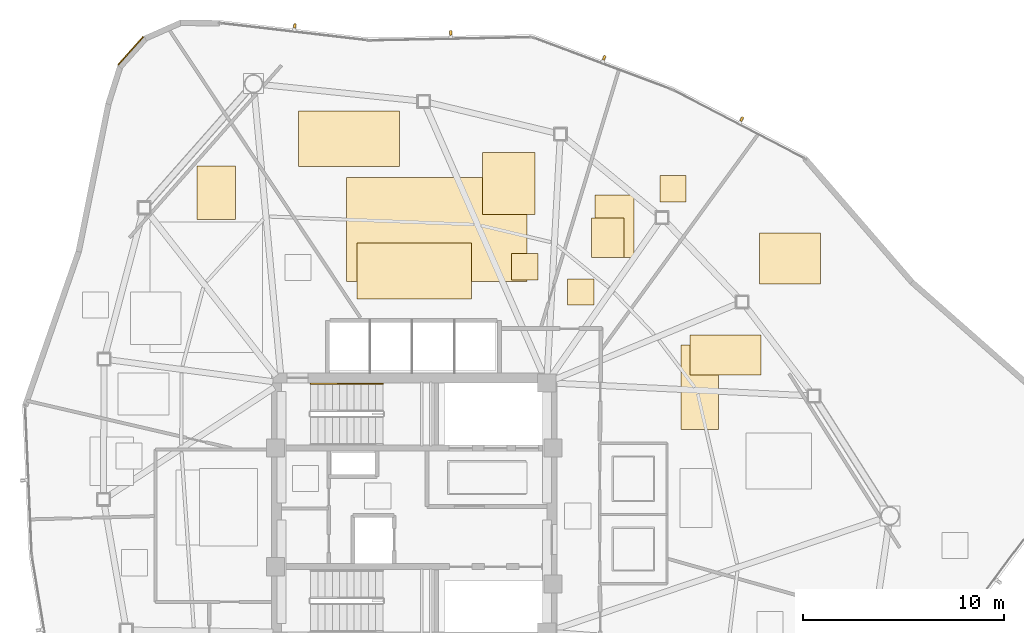
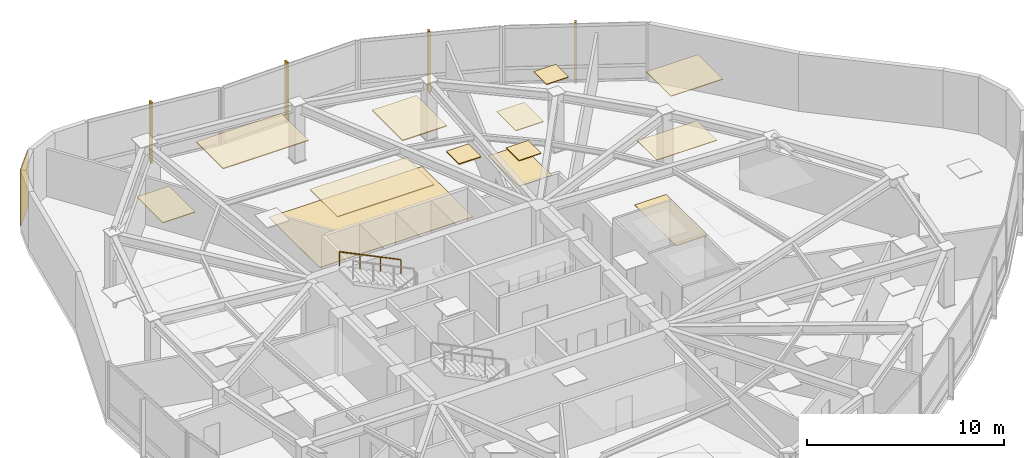
# One storey, part 17 of 17: 14 coverings, 4 shading devices, 1 railing.
"""IFC4 building model written with IfcOpenShell, lengths in metres."""

from ifc_helpers import new_model, si_unit, direction, frame, origin, origin_2d, place, context, subcontext, project, spatial, polyline, rectangle, outline, extrude, source, transform, mapped, material, layer, layer_set, type_object, type_shapes, element, save


model = new_model("IFC4")

# Units and contexts
model_context = context("Model", 3, precision=1e-05, world=origin(), true_north=direction((0.0, 1.0)))
body_context = subcontext(model_context, "Body", "Model", "MODEL_VIEW")
ifc_project = project(units=[si_unit("LENGTHUNIT", "METRE"), si_unit("AREAUNIT", "SQUARE_METRE"), si_unit("VOLUMEUNIT", "CUBIC_METRE"), si_unit("PLANEANGLEUNIT", "RADIAN"), si_unit("MASSUNIT", "GRAM", prefix="KILO")], contexts=[model_context])

# Site, building, storey
site_placement = place(None, origin())
site = spatial("IfcSite", under=ifc_project, at=site_placement, CompositionType="ELEMENT")
building_placement = place(site_placement, origin())
building = spatial("IfcBuilding", under=site, at=building_placement, Name="Tavelor Broadcast Tower", CompositionType="ELEMENT")
storey_placement = place(building_placement, frame((0.0, 0.0, 184.89990234375)))
storey = spatial("IfcBuildingStorey", under=building, at=storey_placement, Name="L44", CompositionType="ELEMENT", Elevation=184.89990234375)

# Covering
ifc_material_1 = material(Name="Copper-Bronze Anodized Aluminium", Category="aluminium")
ifc_layer_1 = layer(ifc_material_1, 0.050048828125)
ifc_layer_set_1 = layer_set([ifc_layer_1], Name="Copper-Bronze Anodized Aluminium")
covering_type_1 = type_object("IfcCoveringType", Name="Champagne-Bronze Corner Pier Metal Cladding 50 mm", PredefinedType="CLADDING", material=ifc_layer_set_1)
covering_1_placement = place(storey_placement, frame((35.9033203125, 67.721435546875, 0.02001953125), z_axis=(0.0, 0.0, 1.0), x_axis=(-0.667182766905, -0.744894056592, 0.0)))
element("IfcCovering", 1, at=covering_1_placement, inside=storey, type_object=covering_type_1, Name="L44 Champagne-Bronze Corner Cladding 03", PredefinedType="CLADDING", context=body_context, shape_type="SweptSolid", body=[
    extrude(rectangle(XDim=1.8671875, YDim=0.050048828125, at=origin_2d()), origin(), (0.0, 0.0, 1.0), 3.510009765625),
])

# Railing
ifc_material_2 = material(Name="Steel S355", Category="steel")
railing_type = type_object("IfcRailingType", Name="Continuous Brushed Stainless Handrail 900 mm", PredefinedType="HANDRAIL", material=ifc_material_2)
railing_placement = place(storey_placement, frame((48.449951171875, 51.14990234375, 2.10009765625)))
element("IfcRailing", 2, at=railing_placement, inside=storey, type_object=railing_type, Name="L44 ST1 stair handrail 2", PredefinedType="HANDRAIL", context=body_context, shape_type="SweptSolid", body=[
    extrude(rectangle(XDim=0.048095703125, YDim=0.048095703125, at=origin_2d()), frame((0.0, 0.0, 0.8759765625), z_axis=(-0.899360859046, 0.0, 0.437207096483), x_axis=(0.0, -1.0, 0.0)), (0.0, 0.0, 1.0), 4.002685546875),
    extrude(rectangle(XDim=0.0419921875, YDim=0.0419921875, at=origin_2d()), origin(), (0.0, 0.0, 1.0), 0.851806640625),
    extrude(rectangle(XDim=0.0419921875, YDim=0.0419921875, at=origin_2d()), frame((-1.199951171875, 0.0, 0.583251953125)), (0.0, 0.0, 1.0), 0.851806640625),
    extrude(rectangle(XDim=0.0419921875, YDim=0.0419921875, at=origin_2d()), frame((-2.39990234375, 0.0, 1.166748046875)), (0.0, 0.0, 1.0), 0.851806640625),
    extrude(rectangle(XDim=0.0419921875, YDim=0.0419921875, at=origin_2d()), frame((-3.599853515625, 0.0, 1.75)), (0.0, 0.0, 1.0), 0.851806640625),
])

# Coverings
ifc_material_3 = material(Name="Acoustic Nylon Carpet Tile")
ifc_layer_2 = layer(ifc_material_3, 0.02001953125)
ifc_layer_set_2 = layer_set([ifc_layer_2], Name="Acoustic Nylon Carpet Tile")
covering_type_2 = type_object("IfcCoveringType", Name="Heavy-Duty Acoustic Broadcast Carpet Tile 20 mm", PredefinedType="FLOORING", material=ifc_layer_set_2)
covering_2_placement = place(storey_placement, origin())
element("IfcCovering", 3, at=covering_2_placement, inside=storey, type_object=covering_type_2, Name="L44 Broadcast Floor Finish 0661", PredefinedType="FLOORING", context=body_context, shape_type="SweptSolid", body=[
    extrude(outline(polyline([(63.284912109375, 48.86865234375), (65.14208984375, 48.86865234375), (65.14208984375, 53.0712890625), (63.284912109375, 53.0712890625), (63.284912109375, 48.86865234375)])), origin(), (0.0, 0.0, 1.0), 0.02001953125),
])
covering_3_placement = place(storey_placement, origin())
element("IfcCovering", 4, at=covering_3_placement, inside=storey, type_object=covering_type_2, Name="L44 Broadcast Floor Finish 0669", PredefinedType="FLOORING", context=body_context, shape_type="SweptSolid", body=[
    extrude(outline(polyline([(58.998046875, 57.4453125), (60.947265625, 57.4453125), (60.947265625, 60.5556640625), (58.998046875, 60.5556640625), (58.998046875, 57.4453125)])), origin(), (0.0, 0.0, 1.0), 0.02001953125),
])
ifc_material_4 = material(Name="Acoustic Hardwood Studio Flooring", Category="wood")
ifc_layer_3 = layer(ifc_material_4, 0.034912109375)
ifc_layer_set_3 = layer_set([ifc_layer_3], Name="Acoustic Hardwood Studio Flooring")
covering_type_3 = type_object("IfcCoveringType", Name="Isolated Studio Acoustic Elastomeric Floor Finish 35 mm", PredefinedType="FLOORING", material=ifc_layer_set_3)
covering_4_placement = place(storey_placement, origin())
element("IfcCovering", 5, at=covering_4_placement, inside=storey, type_object=covering_type_3, Name="L44 Broadcast Floor Finish 0668", PredefinedType="FLOORING", context=body_context, shape_type="SweptSolid", body=[
    extrude(outline(polyline([(46.624267578125, 56.251953125), (55.62646484375, 56.251953125), (55.62646484375, 61.406494140625), (46.624267578125, 61.406494140625), (46.624267578125, 56.251953125)])), origin(), (0.0, 0.0, 1.0), 0.03515625),
])
ifc_material_5 = material(Name="Acoustic Perforated Timber Baffle", Category="wood")
ifc_layer_4 = layer(ifc_material_5, 0.054931640625)
ifc_layer_set_4 = layer_set([ifc_layer_4], Name="Acoustic Perforated Timber Baffle")
covering_type_4 = type_object("IfcCoveringType", Name="Micro-Perforated Acoustic Baffle Studio Ceiling 55 mm", PredefinedType="CEILING", material=ifc_layer_set_4)
covering_5_placement = place(storey_placement, frame((0.0, 0.0, 3.4951171875)))
element("IfcCovering", 6, at=covering_5_placement, inside=storey, type_object=covering_type_4, Name="L44 Suspended Acoustic Ceiling 1857", PredefinedType="CEILING", context=body_context, shape_type="SweptSolid", body=[
    extrude(outline(polyline([(54.8544921875, 56.322021484375), (56.154296875, 56.322021484375), (56.154296875, 57.6220703125), (54.8544921875, 57.6220703125), (54.8544921875, 56.322021484375)])), origin(), (0.0, 0.0, 1.0), 0.054931640625),
])
covering_6_placement = place(storey_placement, frame((0.0, 0.0, 3.4951171875)))
element("IfcCovering", 7, at=covering_6_placement, inside=storey, type_object=covering_type_4, Name="L44 Suspended Acoustic Ceiling 1858", PredefinedType="CEILING", context=body_context, shape_type="SweptSolid", body=[
    extrude(outline(polyline([(47.1611328125, 55.36083984375), (52.847412109375, 55.36083984375), (52.847412109375, 58.166015625), (47.1611328125, 58.166015625), (47.1611328125, 55.36083984375)])), origin(), (0.0, 0.0, 1.0), 0.054931640625),
])
covering_7_placement = place(storey_placement, frame((0.0, 0.0, 3.4951171875)))
element("IfcCovering", 8, at=covering_7_placement, inside=storey, type_object=covering_type_4, Name="L44 Suspended Acoustic Ceiling 1859", PredefinedType="CEILING", context=body_context, shape_type="SweptSolid", body=[
    extrude(outline(polyline([(44.25634765625, 61.967041015625), (49.278076171875, 61.967041015625), (49.278076171875, 64.71923828125), (44.25634765625, 64.71923828125), (44.25634765625, 61.967041015625)])), origin(), (0.0, 0.0, 1.0), 0.054931640625),
])
covering_8_placement = place(storey_placement, frame((0.0, 0.0, 3.4951171875)))
element("IfcCovering", 9, at=covering_8_placement, inside=storey, type_object=covering_type_4, Name="L44 Suspended Acoustic Ceiling 1860", PredefinedType="CEILING", context=body_context, shape_type="SweptSolid", body=[
    extrude(outline(polyline([(53.40771484375, 59.56494140625), (56.0146484375, 59.56494140625), (56.0146484375, 62.666015625), (53.40771484375, 62.666015625), (53.40771484375, 59.56494140625)])), origin(), (0.0, 0.0, 1.0), 0.054931640625),
])
ifc_material_6 = material(Name="Acoustic Mineral Fibre Tile")
ifc_layer_5 = layer(ifc_material_6, 0.0400390625)
ifc_layer_set_5 = layer_set([ifc_layer_5], Name="Acoustic Mineral Fibre Tile")
covering_type_5 = type_object("IfcCoveringType", Name="Suspended Acoustic Mineral-Fibre Office Ceiling 40 mm", PredefinedType="CEILING", material=ifc_layer_set_5)
covering_9_placement = place(storey_placement, frame((0.0, 0.0, 3.510009765625)))
element("IfcCovering", 10, at=covering_9_placement, inside=storey, type_object=covering_type_5, Name="L44 Suspended Acoustic Ceiling 1837", PredefinedType="CEILING", context=body_context, shape_type="SweptSolid", body=[
    extrude(outline(polyline([(67.179443359375, 56.127197265625), (70.228271484375, 56.127197265625), (70.228271484375, 58.643310546875), (67.179443359375, 58.643310546875), (67.179443359375, 56.127197265625)])), origin(), (0.0, 0.0, 1.0), 0.0400390625),
])
covering_10_placement = place(storey_placement, frame((0.0, 0.0, 3.510009765625)))
element("IfcCovering", 11, at=covering_10_placement, inside=storey, type_object=covering_type_5, Name="L44 Suspended Acoustic Ceiling 1838", PredefinedType="CEILING", context=body_context, shape_type="SweptSolid", body=[
    extrude(outline(polyline([(63.724365234375, 51.583740234375), (67.2587890625, 51.583740234375), (67.2587890625, 53.588134765625), (63.724365234375, 53.588134765625), (63.724365234375, 51.583740234375)])), origin(), (0.0, 0.0, 1.0), 0.0400390625),
])
covering_11_placement = place(storey_placement, frame((0.0, 0.0, 3.510009765625)))
element("IfcCovering", 12, at=covering_11_placement, inside=storey, type_object=covering_type_5, Name="L44 Suspended Acoustic Ceiling 1854", PredefinedType="CEILING", context=body_context, shape_type="SweptSolid", body=[
    extrude(outline(polyline([(39.20849609375, 59.33544921875), (41.107666015625, 59.33544921875), (41.107666015625, 61.997314453125), (39.20849609375, 61.997314453125), (39.20849609375, 59.33544921875)])), origin(), (0.0, 0.0, 1.0), 0.0400390625),
])
covering_12_placement = place(storey_placement, frame((0.0, 0.0, 3.510009765625)))
element("IfcCovering", 13, at=covering_12_placement, inside=storey, type_object=covering_type_5, Name="L44 Suspended Acoustic Ceiling 1861", PredefinedType="CEILING", context=body_context, shape_type="SweptSolid", body=[
    extrude(outline(polyline([(57.640380859375, 55.061767578125), (58.940185546875, 55.061767578125), (58.940185546875, 56.36181640625), (57.640380859375, 56.36181640625), (57.640380859375, 55.061767578125)])), origin(), (0.0, 0.0, 1.0), 0.0400390625),
])
covering_13_placement = place(storey_placement, frame((0.0, 0.0, 3.510009765625)))
element("IfcCovering", 14, at=covering_13_placement, inside=storey, type_object=covering_type_5, Name="L44 Suspended Acoustic Ceiling 1862", PredefinedType="CEILING", context=body_context, shape_type="SweptSolid", body=[
    extrude(outline(polyline([(58.826416015625, 57.427490234375), (60.450927734375, 57.427490234375), (60.450927734375, 59.388671875), (58.826416015625, 59.388671875), (58.826416015625, 57.427490234375)])), origin(), (0.0, 0.0, 1.0), 0.0400390625),
])
covering_14_placement = place(storey_placement, frame((0.0, 0.0, 3.510009765625)))
element("IfcCovering", 15, at=covering_14_placement, inside=storey, type_object=covering_type_5, Name="L44 Suspended Acoustic Ceiling 1863", PredefinedType="CEILING", context=body_context, shape_type="SweptSolid", body=[
    extrude(outline(polyline([(62.2294921875, 60.205078125), (63.529541015625, 60.205078125), (63.529541015625, 61.505126953125), (62.2294921875, 61.505126953125), (62.2294921875, 60.205078125)])), origin(), (0.0, 0.0, 1.0), 0.0400390625),
])

# Shading devices
ifc_material_7 = material(Name="Kiln-Fired Glazed Terracotta", Category="masonry")
shading_device_type = type_object("IfcShadingDeviceType", Name="Extruded Terracotta Baguette Sun-Screen 110x240", PredefinedType="JALOUSIE", material=ifc_material_7)
shared_shape = source(origin(), body_context, "Body", "SweptSolid", [
    extrude(rectangle(XDim=0.110107421875, YDim=0.239990234375, at=origin_2d()), origin(), (0.0, 0.0, 1.0), 3.7900390625),
])
type_shapes(shading_device_type, [shared_shape])
for number, where, z_axis, x_axis, name in (
    (16, (66.303466796875, 64.321044921875, -0.260009765625), (0.0, 0.0, 1.0), (-0.887171959808, 0.461438959919, 0.0), "L44 Terracotta Baguette Fin 465"),
    (17, (59.4580078125, 67.36865234375, -0.260009765625), (0.0, 0.0, 1.0), (-0.936549886748, 0.350534320191, 0.0), "L44 Terracotta Baguette Fin 466"),
    (18, (51.826416015625, 68.61083984375, -0.260009765625), (0.0, 0.0, 1.0), (-0.999805523312, -0.019720942027, 0.0), "L44 Terracotta Baguette Fin 467"),
    (19, (44.06298828125, 68.961181640625, -0.260009765625), (0.0, 0.0, 1.0), (-0.993332584447, 0.115283895993, 0.0), "L44 Terracotta Baguette Fin 468"),
):
    element("IfcShadingDevice", number, at=place(storey_placement, frame(where, z_axis=z_axis, x_axis=x_axis)), inside=storey, type_object=shading_device_type, Name=name, PredefinedType="JALOUSIE", context=body_context, shape_type="MappedRepresentation", body=[
        mapped(shared_shape, transform((0.0, 0.0, 0.0), scale=1.0)),
    ])

save(model, "model.ifc")
